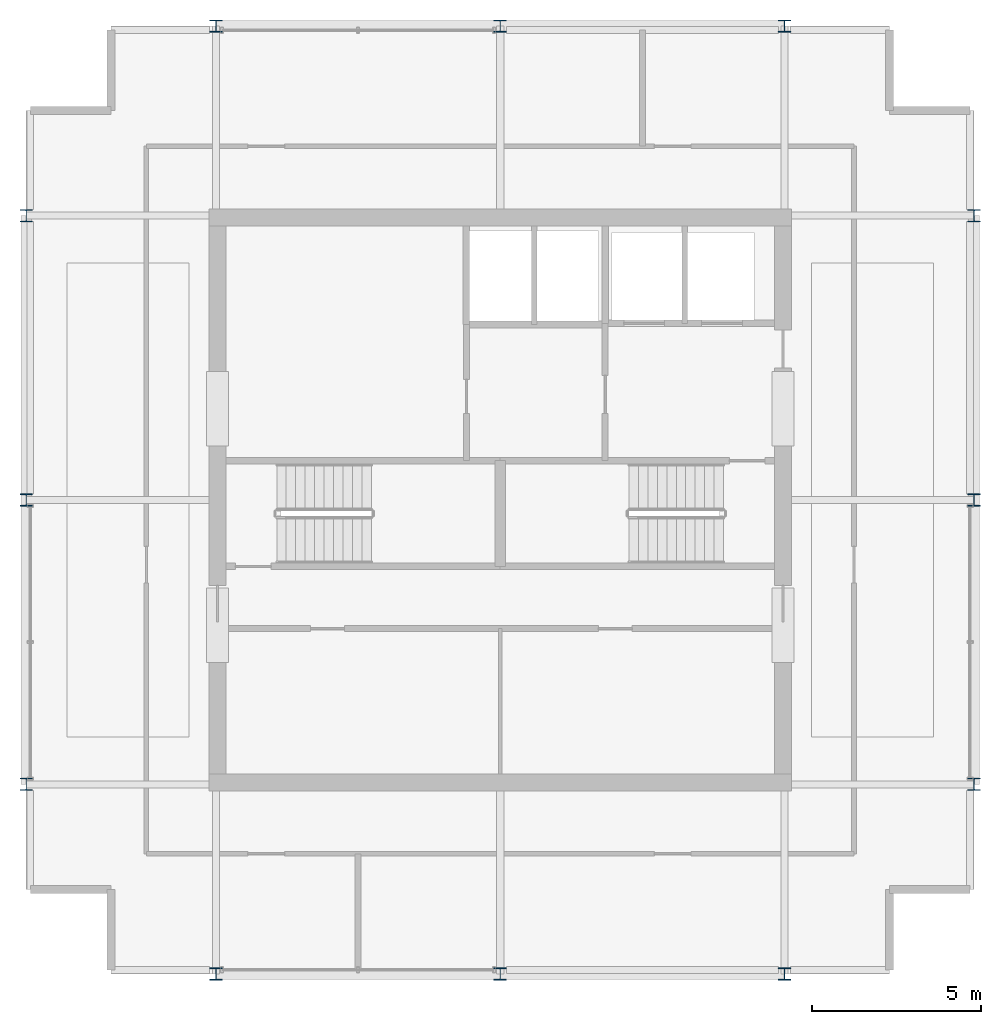
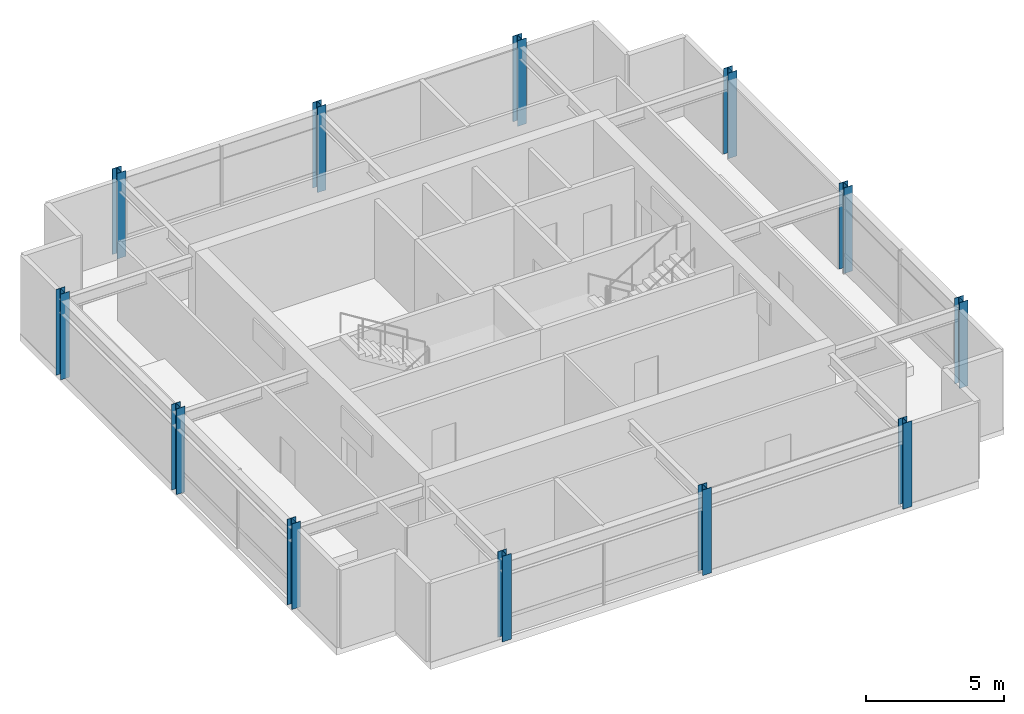
# One storey, part 1 of 12: 12 columns.
"""IFC4 building model written with IfcOpenShell, lengths in metres."""

from ifc_helpers import new_model, si_unit, direction, frame, origin, origin_2d, place, context, subcontext, project, spatial, i_section, extrude, material, material_profile, profile_set, type_object, element, save


model = new_model("IFC4")

# Units and contexts
model_context = context("Model", 3, precision=1e-05, world=origin(), true_north=direction((0.0, 1.0)))
body_context = subcontext(model_context, "Body", "Model", "MODEL_VIEW")
ifc_project = project(units=[si_unit("LENGTHUNIT", "METRE"), si_unit("AREAUNIT", "SQUARE_METRE"), si_unit("VOLUMEUNIT", "CUBIC_METRE"), si_unit("PLANEANGLEUNIT", "RADIAN"), si_unit("MASSUNIT", "GRAM", prefix="KILO")], contexts=[model_context])

# Site, building, storey
site_placement = place(None, origin())
site = spatial("IfcSite", under=ifc_project, at=site_placement, CompositionType="ELEMENT")
building_placement = place(site_placement, origin())
building = spatial("IfcBuilding", under=site, at=building_placement, Name="Drelvath Grand Hotel", CompositionType="ELEMENT")
storey_placement = place(building_placement, frame((0.0, 0.0, 319.39990234375)))
storey = spatial("IfcBuildingStorey", under=building, at=storey_placement, Name="L83", CompositionType="ELEMENT", Elevation=319.39990234375)

# Columns
ifc_material = material(Name="Steel ASTM A913 Gr 65", Category="steel")
ifc_material_profile = material_profile(ifc_material, i_section(OverallWidth=0.368896484375, OverallDepth=0.356201171875, WebThickness=0.01123046875, FlangeThickness=0.01806640625, FilletRadius=0.02490234375, at=origin_2d()), Name="W14X90")
ifc_profile_set = profile_set([ifc_material_profile], Name="Steel ASTM A913 Gr 65")
column_type = type_object("IfcColumnType", Name="Perimeter Steel Column W14X90", PredefinedType="COLUMN", material=ifc_profile_set)
for number, where, z_axis, x_axis, name in (
    (1, (-14.0, 18.60009765625, 0.0), (0.0, 0.0, 1.0), (1.0, 0.0, 0.0), "L83 Structural Column DC-W1"),
    (2, (-14.0, 27.0, 0.0), (0.0, 0.0, 1.0), (1.0, 0.0, 0.0), "L83 Structural Column DC-W2"),
    (3, (-14.0, 35.39990234375, 0.0), (0.0, 0.0, 1.0), (1.0, 0.0, 0.0), "L83 Structural Column DC-W3"),
    (4, (14.0, 18.60009765625, 0.0), (0.0, 0.0, 1.0), (1.0, 0.0, 0.0), "L83 Structural Column DC-E1"),
    (5, (14.0, 27.0, 0.0), (0.0, 0.0, 1.0), (1.0, 0.0, 0.0), "L83 Structural Column DC-E2"),
    (6, (14.0, 35.39990234375, 0.0), (0.0, 0.0, 1.0), (1.0, 0.0, 0.0), "L83 Structural Column DC-E3"),
    (7, (-8.39990234375, 13.0, 0.0), (0.0, 0.0, 1.0), (1.0, 0.0, 0.0), "L83 Structural Column DC-S1"),
    (8, (0.0, 13.0, 0.0), (0.0, 0.0, 1.0), (1.0, 0.0, 0.0), "L83 Structural Column DC-S2"),
    (9, (8.39990234375, 13.0, 0.0), (0.0, 0.0, 1.0), (1.0, 0.0, 0.0), "L83 Structural Column DC-S3"),
    (10, (-8.39990234375, 41.0, 0.0), (0.0, 0.0, 1.0), (1.0, 0.0, 0.0), "L83 Structural Column DC-N1"),
    (11, (0.0, 41.0, 0.0), (0.0, 0.0, 1.0), (1.0, 0.0, 0.0), "L83 Structural Column DC-N2"),
    (12, (8.39990234375, 41.0, 0.0), (0.0, 0.0, 1.0), (1.0, 0.0, 0.0), "L83 Structural Column DC-N3"),
):
    element("IfcColumn", number, at=place(storey_placement, frame(where, z_axis=z_axis, x_axis=x_axis)), inside=storey, type_object=column_type, Name=name, PredefinedType="COLUMN", context=body_context, shape_type="SweptSolid", body=[
        extrude(i_section(OverallWidth=0.368896484375, OverallDepth=0.356201171875, WebThickness=0.01123046875, FlangeThickness=0.01806640625, FilletRadius=0.02490234375, at=origin_2d()), origin(), (0.0, 0.0, 1.0), 3.797119140625),
    ])

save(model, "model.ifc")
